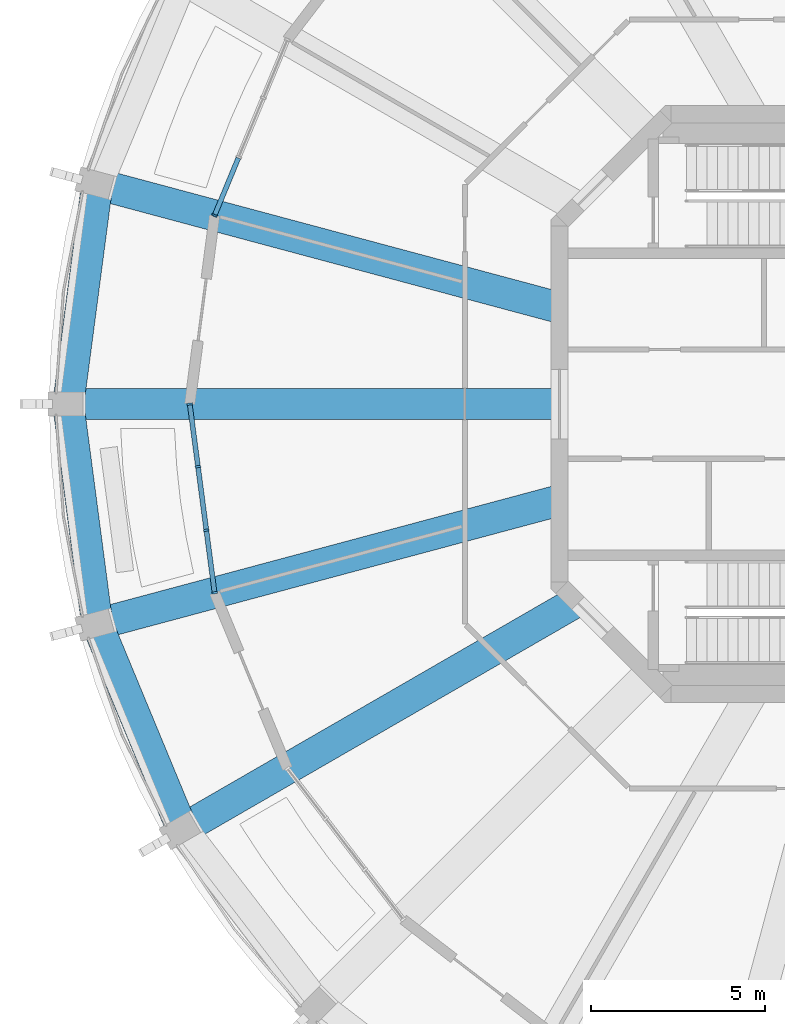
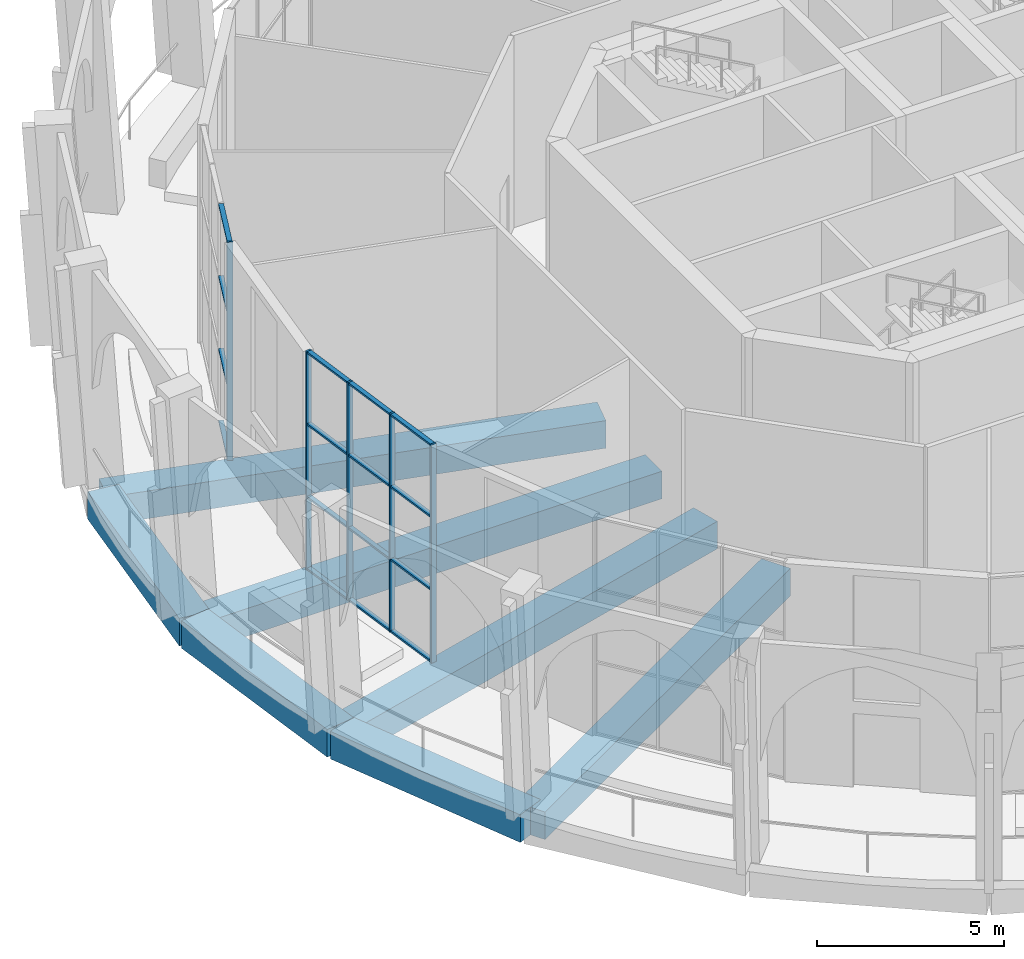
# One storey, part 3 of 17: 21 members, 7 beams, 2 elements without a shape of their own.
"""IFC4 building model written with IfcOpenShell, lengths in metres."""

from ifc_helpers import new_model, si_unit, direction, frame, origin, origin_2d, place, context, subcontext, project, spatial, rectangle, extrude, material, material_profile, profile_set, type_object, element, aggregate, save


model = new_model("IFC4")

# Units and contexts
model_context = context("Model", 3, precision=1e-05, world=origin(), true_north=direction((0.0, 1.0)))
body_context = subcontext(model_context, "Body", "Model", "MODEL_VIEW")
ifc_project = project(units=[si_unit("LENGTHUNIT", "METRE"), si_unit("AREAUNIT", "SQUARE_METRE"), si_unit("VOLUMEUNIT", "CUBIC_METRE"), si_unit("PLANEANGLEUNIT", "RADIAN"), si_unit("MASSUNIT", "GRAM", prefix="KILO")], contexts=[model_context])

# Site, building, storey
site_placement = place(None, origin())
site = spatial("IfcSite", under=ifc_project, at=site_placement, CompositionType="ELEMENT")
building_placement = place(site_placement, origin())
building = spatial("IfcBuilding", under=site, at=building_placement, Name="Torre Triforio", CompositionType="ELEMENT")
storey_placement = place(building_placement, frame((0.0, 0.0, 276.0)))
storey = spatial("IfcBuildingStorey", under=building, at=storey_placement, Name="L64", CompositionType="ELEMENT", Elevation=276.0)

# Curtain wall, member
ifc_material_1 = material(Name="Aluminium mullion and transom frame with clear laminated glass", Category="aluminium")
curtain_wall_type = type_object("IfcCurtainWallType", Name="Sky garden conservatory wall ECW3", PredefinedType="NOTDEFINED", material=ifc_material_1)
curtain_wall_1_placement = place(storey_placement, origin())
curtain_wall_1 = element("IfcCurtainWall", 1, at=curtain_wall_1_placement, inside=storey, type_object=curtain_wall_type, Name="Conservatory wall L64 bay 11", PredefinedType="NOTDEFINED")
ifc_material_2 = material(Name="Anodised aluminium extrusion", Category="aluminium")
ifc_material_profile_1 = material_profile(ifc_material_2, rectangle(XDim=0.159912109375, YDim=0.06005859375, at=origin_2d()), Name="ECW3 MULLION 60x160")
ifc_profile_set_1 = profile_set([ifc_material_profile_1], Name="Anodised aluminium extrusion")
member_type_1 = type_object("IfcMemberType", Name="ECW3 mullion 60 x 160", PredefinedType="MULLION", material=ifc_profile_set_1)
member_1_placement = place(storey_placement, frame((-20.284423828125, 5.435302734375, 0.0), z_axis=(0.0, 0.0, 1.0), x_axis=(0.923883122974, -0.382674764107, 0.0)))
member_1 = element("IfcMember", 2, at=member_1_placement, type_object=member_type_1, Name="ECW3 mullion 4", PredefinedType="MULLION", context=body_context, shape_type="SweptSolid", body=[
    extrude(rectangle(XDim=0.159912109375, YDim=0.06005859375, at=origin_2d()), origin(), (0.0, 0.0, 1.0), 7.1201171875),
])

# Curtain wall, members
curtain_wall_2_placement = place(storey_placement, origin())
curtain_wall_2 = element("IfcCurtainWall", 3, at=curtain_wall_2_placement, inside=storey, type_object=curtain_wall_type, Name="Conservatory wall L64 bay 13", PredefinedType="NOTDEFINED")
member_2_placement = place(storey_placement, frame((-21.0, 0.0, 0.0), z_axis=(0.0, 0.0, 1.0), x_axis=(0.991444343291, 0.130530127386, 0.0)))
member_2 = element("IfcMember", 4, at=member_2_placement, type_object=member_type_1, Name="ECW3 mullion 1", PredefinedType="MULLION", context=body_context, shape_type="SweptSolid", body=[
    extrude(rectangle(XDim=0.159912109375, YDim=0.06005859375, at=origin_2d()), origin(), (0.0, 0.0, 1.0), 7.1201171875),
])
member_3_placement = place(storey_placement, frame((-20.7626953125, -1.8017578125, 0.0), z_axis=(0.0, 0.0, 1.0), x_axis=(0.991444343291, 0.130530127386, 0.0)))
member_3 = element("IfcMember", 5, at=member_3_placement, type_object=member_type_1, Name="ECW3 mullion 2", PredefinedType="MULLION", context=body_context, shape_type="SweptSolid", body=[
    extrude(rectangle(XDim=0.159912109375, YDim=0.06005859375, at=origin_2d()), origin(), (0.0, 0.0, 1.0), 7.1201171875),
])
member_4_placement = place(storey_placement, frame((-20.521728515625, -3.63330078125, 0.0), z_axis=(0.0, 0.0, 1.0), x_axis=(0.991444343291, 0.130530127386, 0.0)))
member_4 = element("IfcMember", 6, at=member_4_placement, type_object=member_type_1, Name="ECW3 mullion 3", PredefinedType="MULLION", context=body_context, shape_type="SweptSolid", body=[
    extrude(rectangle(XDim=0.159912109375, YDim=0.06005859375, at=origin_2d()), origin(), (0.0, 0.0, 1.0), 7.1201171875),
])
member_5_placement = place(storey_placement, frame((-20.284423828125, -5.43505859375, 0.0), z_axis=(0.0, 0.0, 1.0), x_axis=(0.991444343291, 0.130530127386, 0.0)))
member_5 = element("IfcMember", 7, at=member_5_placement, type_object=member_type_1, Name="ECW3 mullion 4", PredefinedType="MULLION", context=body_context, shape_type="SweptSolid", body=[
    extrude(rectangle(XDim=0.159912109375, YDim=0.06005859375, at=origin_2d()), origin(), (0.0, 0.0, 1.0), 7.1201171875),
])

# Member
ifc_material_profile_2 = material_profile(ifc_material_2, rectangle(XDim=0.139892578125, YDim=0.06005859375, at=origin_2d()), Name="ECW3 TRANSOM 60x140")
ifc_profile_set_2 = profile_set([ifc_material_profile_2], Name="Anodised aluminium extrusion")
member_type_2 = type_object("IfcMemberType", Name="ECW3 transom 60 x 140", PredefinedType="USERDEFINED", material=ifc_profile_set_2)
member_6_placement = place(storey_placement, frame((-19.600341796875, 7.08642578125, 0.030029296875), z_axis=(-0.38274032778, -0.923855963606, 0.0), x_axis=(0.923855963606, -0.38274032778, 0.0)))
member_6 = element("IfcMember", 8, at=member_6_placement, type_object=member_type_2, Name="ECW3 transom 3.1", ObjectType="TRANSOM", PredefinedType="USERDEFINED", context=body_context, shape_type="SweptSolid", body=[
    extrude(rectangle(XDim=0.139892578125, YDim=0.06005859375, at=origin_2d()), origin(), (0.0, 0.0, 1.0), 1.75732421875),
])

member_7_placement = place(storey_placement, frame((-19.600341796875, 7.08642578125, 2.373291015625), z_axis=(-0.38274032778, -0.923855963606, 0.0), x_axis=(0.923855963606, -0.38274032778, 0.0)))
member_7 = element("IfcMember", 9, at=member_7_placement, type_object=member_type_2, Name="ECW3 transom 3.2", ObjectType="TRANSOM", PredefinedType="USERDEFINED", context=body_context, shape_type="SweptSolid", body=[
    extrude(rectangle(XDim=0.139892578125, YDim=0.06005859375, at=origin_2d()), origin(), (0.0, 0.0, 1.0), 1.75732421875),
])

member_8_placement = place(storey_placement, frame((-19.600341796875, 7.08642578125, 4.74658203125), z_axis=(-0.38274032778, -0.923855963606, 0.0), x_axis=(0.923855963606, -0.38274032778, 0.0)))
member_8 = element("IfcMember", 10, at=member_8_placement, type_object=member_type_2, Name="ECW3 transom 3.3", ObjectType="TRANSOM", PredefinedType="USERDEFINED", context=body_context, shape_type="SweptSolid", body=[
    extrude(rectangle(XDim=0.139892578125, YDim=0.06005859375, at=origin_2d()), origin(), (0.0, 0.0, 1.0), 1.75732421875),
])

member_9_placement = place(storey_placement, frame((-19.600341796875, 7.08642578125, 7.090087890625), z_axis=(-0.38274032778, -0.923855963606, 0.0), x_axis=(0.923855963606, -0.38274032778, 0.0)))
member_9 = element("IfcMember", 11, at=member_9_placement, type_object=member_type_2, Name="ECW3 transom 3.4", ObjectType="TRANSOM", PredefinedType="USERDEFINED", context=body_context, shape_type="SweptSolid", body=[
    extrude(rectangle(XDim=0.139892578125, YDim=0.06005859375, at=origin_2d()), origin(), (0.0, 0.0, 1.0), 1.75732421875),
])

aggregate(curtain_wall_1, [member_1, member_6, member_7, member_8, member_9])

member_10_placement = place(storey_placement, frame((-20.99609375, -0.02978515625, 0.030029296875), z_axis=(0.130598268981, -0.991435369623, 0.0), x_axis=(0.991435369623, 0.130598268981, 0.0)))
member_10 = element("IfcMember", 12, at=member_10_placement, type_object=member_type_2, Name="ECW3 transom 1.1", ObjectType="TRANSOM", PredefinedType="USERDEFINED", context=body_context, shape_type="SweptSolid", body=[
    extrude(rectangle(XDim=0.139892578125, YDim=0.06005859375, at=origin_2d()), origin(), (0.0, 0.0, 1.0), 1.75732421875),
])

member_11_placement = place(storey_placement, frame((-20.99609375, -0.02978515625, 2.373291015625), z_axis=(0.130598268981, -0.991435369623, 0.0), x_axis=(0.991435369623, 0.130598268981, 0.0)))
member_11 = element("IfcMember", 13, at=member_11_placement, type_object=member_type_2, Name="ECW3 transom 1.2", ObjectType="TRANSOM", PredefinedType="USERDEFINED", context=body_context, shape_type="SweptSolid", body=[
    extrude(rectangle(XDim=0.139892578125, YDim=0.06005859375, at=origin_2d()), origin(), (0.0, 0.0, 1.0), 1.75732421875),
])

member_12_placement = place(storey_placement, frame((-20.99609375, -0.02978515625, 4.74658203125), z_axis=(0.130598268981, -0.991435369623, 0.0), x_axis=(0.991435369623, 0.130598268981, 0.0)))
member_12 = element("IfcMember", 14, at=member_12_placement, type_object=member_type_2, Name="ECW3 transom 1.3", ObjectType="TRANSOM", PredefinedType="USERDEFINED", context=body_context, shape_type="SweptSolid", body=[
    extrude(rectangle(XDim=0.139892578125, YDim=0.06005859375, at=origin_2d()), origin(), (0.0, 0.0, 1.0), 1.75732421875),
])

member_13_placement = place(storey_placement, frame((-20.99609375, -0.02978515625, 7.090087890625), z_axis=(0.130598268981, -0.991435369623, 0.0), x_axis=(0.991435369623, 0.130598268981, 0.0)))
member_13 = element("IfcMember", 15, at=member_13_placement, type_object=member_type_2, Name="ECW3 transom 1.4", ObjectType="TRANSOM", PredefinedType="USERDEFINED", context=body_context, shape_type="SweptSolid", body=[
    extrude(rectangle(XDim=0.139892578125, YDim=0.06005859375, at=origin_2d()), origin(), (0.0, 0.0, 1.0), 1.75732421875),
])

member_14_placement = place(storey_placement, frame((-20.7587890625, -1.83154296875, 0.030029296875), z_axis=(0.130454512571, -0.991454295543, 0.0), x_axis=(0.991454295543, 0.130454512571, 0.0)))
member_14 = element("IfcMember", 16, at=member_14_placement, type_object=member_type_2, Name="ECW3 transom 2.1", ObjectType="TRANSOM", PredefinedType="USERDEFINED", context=body_context, shape_type="SweptSolid", body=[
    extrude(rectangle(XDim=0.139892578125, YDim=0.06005859375, at=origin_2d()), origin(), (0.0, 0.0, 1.0), 1.787353515625),
])

member_15_placement = place(storey_placement, frame((-20.7587890625, -1.83154296875, 2.373291015625), z_axis=(0.130454512571, -0.991454295543, 0.0), x_axis=(0.991454295543, 0.130454512571, 0.0)))
member_15 = element("IfcMember", 17, at=member_15_placement, type_object=member_type_2, Name="ECW3 transom 2.2", ObjectType="TRANSOM", PredefinedType="USERDEFINED", context=body_context, shape_type="SweptSolid", body=[
    extrude(rectangle(XDim=0.139892578125, YDim=0.06005859375, at=origin_2d()), origin(), (0.0, 0.0, 1.0), 1.787353515625),
])

member_16_placement = place(storey_placement, frame((-20.7587890625, -1.83154296875, 4.74658203125), z_axis=(0.130454512571, -0.991454295543, 0.0), x_axis=(0.991454295543, 0.130454512571, 0.0)))
member_16 = element("IfcMember", 18, at=member_16_placement, type_object=member_type_2, Name="ECW3 transom 2.3", ObjectType="TRANSOM", PredefinedType="USERDEFINED", context=body_context, shape_type="SweptSolid", body=[
    extrude(rectangle(XDim=0.139892578125, YDim=0.06005859375, at=origin_2d()), origin(), (0.0, 0.0, 1.0), 1.787353515625),
])

member_17_placement = place(storey_placement, frame((-20.7587890625, -1.83154296875, 7.090087890625), z_axis=(0.130454512571, -0.991454295543, 0.0), x_axis=(0.991454295543, 0.130454512571, 0.0)))
member_17 = element("IfcMember", 19, at=member_17_placement, type_object=member_type_2, Name="ECW3 transom 2.4", ObjectType="TRANSOM", PredefinedType="USERDEFINED", context=body_context, shape_type="SweptSolid", body=[
    extrude(rectangle(XDim=0.139892578125, YDim=0.06005859375, at=origin_2d()), origin(), (0.0, 0.0, 1.0), 1.787353515625),
])

member_18_placement = place(storey_placement, frame((-20.517822265625, -3.6630859375, 0.030029296875), z_axis=(0.130580282255, -0.991437738784, 0.0), x_axis=(0.991437738784, 0.130580282255, 0.0)))
member_18 = element("IfcMember", 20, at=member_18_placement, type_object=member_type_2, Name="ECW3 transom 3.1", ObjectType="TRANSOM", PredefinedType="USERDEFINED", context=body_context, shape_type="SweptSolid", body=[
    extrude(rectangle(XDim=0.139892578125, YDim=0.06005859375, at=origin_2d()), origin(), (0.0, 0.0, 1.0), 1.757568359375),
])

member_19_placement = place(storey_placement, frame((-20.517822265625, -3.6630859375, 2.373291015625), z_axis=(0.130580282255, -0.991437738784, 0.0), x_axis=(0.991437738784, 0.130580282255, 0.0)))
member_19 = element("IfcMember", 21, at=member_19_placement, type_object=member_type_2, Name="ECW3 transom 3.2", ObjectType="TRANSOM", PredefinedType="USERDEFINED", context=body_context, shape_type="SweptSolid", body=[
    extrude(rectangle(XDim=0.139892578125, YDim=0.06005859375, at=origin_2d()), origin(), (0.0, 0.0, 1.0), 1.757568359375),
])

member_20_placement = place(storey_placement, frame((-20.517822265625, -3.6630859375, 4.74658203125), z_axis=(0.130580282255, -0.991437738784, 0.0), x_axis=(0.991437738784, 0.130580282255, 0.0)))
member_20 = element("IfcMember", 22, at=member_20_placement, type_object=member_type_2, Name="ECW3 transom 3.3", ObjectType="TRANSOM", PredefinedType="USERDEFINED", context=body_context, shape_type="SweptSolid", body=[
    extrude(rectangle(XDim=0.139892578125, YDim=0.06005859375, at=origin_2d()), origin(), (0.0, 0.0, 1.0), 1.757568359375),
])

member_21_placement = place(storey_placement, frame((-20.517822265625, -3.6630859375, 7.090087890625), z_axis=(0.130580282255, -0.991437738784, 0.0), x_axis=(0.991437738784, 0.130580282255, 0.0)))
member_21 = element("IfcMember", 23, at=member_21_placement, type_object=member_type_2, Name="ECW3 transom 3.4", ObjectType="TRANSOM", PredefinedType="USERDEFINED", context=body_context, shape_type="SweptSolid", body=[
    extrude(rectangle(XDim=0.139892578125, YDim=0.06005859375, at=origin_2d()), origin(), (0.0, 0.0, 1.0), 1.757568359375),
])

aggregate(curtain_wall_2, [member_2, member_3, member_4, member_5, member_10, member_11, member_12, member_13, member_14, member_15, member_16, member_17, member_18, member_19, member_20, member_21])

# Beams
ifc_material_3 = material(Name="Concrete C40", Category="concrete")
ifc_material_profile_3 = material_profile(ifc_material_3, rectangle(XDim=0.89990234375, YDim=0.89990234375, at=origin_2d()), Name="RC 900x900")
ifc_profile_set_3 = profile_set([ifc_material_profile_3], Name="Concrete C40")
beam_type_1 = type_object("IfcBeamType", Name="Radial beam RC 900x900 C40", PredefinedType="BEAM", material=ifc_profile_set_3)
beam_1_placement = place(storey_placement, frame((-10.35009765625, 2.773193359375, -0.72998046875), z_axis=(-0.965924413872, 0.258824316257, 0.0), x_axis=(-0.258824316257, -0.965924413872, 0.0)))
element("IfcBeam", 24, at=beam_1_placement, inside=storey, type_object=beam_type_1, Name="BM.R.L64.11", PredefinedType="BEAM", context=body_context, shape_type="SweptSolid", body=[
    extrude(rectangle(XDim=0.89990234375, YDim=0.89990234375, at=origin_2d()), origin(), (0.0, 0.0, 1.0), 13.784912109375),
])
beam_2_placement = place(storey_placement, frame((-10.35009765625, 0.0, -0.72998046875), z_axis=(-1.0, 0.0, 0.0), x_axis=(0.0, -1.0, 0.0)))
element("IfcBeam", 25, at=beam_2_placement, inside=storey, type_object=beam_type_1, Name="BM.R.L64.12", PredefinedType="BEAM", context=body_context, shape_type="SweptSolid", body=[
    extrude(rectangle(XDim=0.89990234375, YDim=0.89990234375, at=origin_2d()), origin(), (0.0, 0.0, 1.0), 14.14990234375),
])
beam_3_placement = place(storey_placement, frame((-10.35009765625, -2.773193359375, -0.72998046875), z_axis=(-0.965924413872, -0.258824316257, 0.0), x_axis=(0.258824316257, -0.965924413872, 0.0)))
element("IfcBeam", 26, at=beam_3_placement, inside=storey, type_object=beam_type_1, Name="BM.R.L64.13", PredefinedType="BEAM", context=body_context, shape_type="SweptSolid", body=[
    extrude(rectangle(XDim=0.89990234375, YDim=0.89990234375, at=origin_2d()), origin(), (0.0, 0.0, 1.0), 13.784912109375),
])
beam_4_placement = place(storey_placement, frame((-9.860595703125, -5.693115234375, -0.72998046875), z_axis=(-0.866026853401, -0.499997489182, 0.0), x_axis=(0.499997489182, -0.866026853401, 0.0)))
element("IfcBeam", 27, at=beam_4_placement, inside=storey, type_object=beam_type_1, Name="BM.R.L64.14", PredefinedType="BEAM", context=body_context, shape_type="SweptSolid", body=[
    extrude(rectangle(XDim=0.89990234375, YDim=0.89990234375, at=origin_2d()), origin(), (0.0, 0.0, 1.0), 13.11376953125),
])
ifc_material_profile_4 = material_profile(ifc_material_3, rectangle(XDim=0.89990234375, YDim=0.89990234375, at=origin_2d()), Name="RC 900x900")
ifc_profile_set_4 = profile_set([ifc_material_profile_4], Name="Concrete C40")
beam_type_2 = type_object("IfcBeamType", Name="Spandrel beam RC 900x900 C40", PredefinedType="SPANDREL", material=ifc_profile_set_4)
for number, where, z_axis, x_axis, name in (
    (28, (-23.665283203125, 6.341064453125, -0.72998046875), (-0.130510796237, -0.991446888172, 0.0), (0.991446888172, -0.130510796237, 0.0), "BM.S.L64.11"),
    (29, (-24.5, 0.0, -0.72998046875), (0.130510796237, -0.991446888172, 0.0), (0.991446888172, 0.130510796237, 0.0), "BM.S.L64.12"),
    (30, (-23.665283203125, -6.341064453125, -0.72998046875), (0.382709143949, -0.923868882006, 0.0), (0.923868882006, 0.382709143949, 0.0), "BM.S.L64.13"),
):
    element("IfcBeam", number, at=place(storey_placement, frame(where, z_axis=z_axis, x_axis=x_axis)), inside=storey, type_object=beam_type_2, Name=name, PredefinedType="SPANDREL", context=body_context, shape_type="SweptSolid", body=[
        extrude(rectangle(XDim=0.89990234375, YDim=0.89990234375, at=origin_2d()), origin(), (0.0, 0.0, 1.0), 6.395751953125),
    ])

save(model, "model.ifc")
